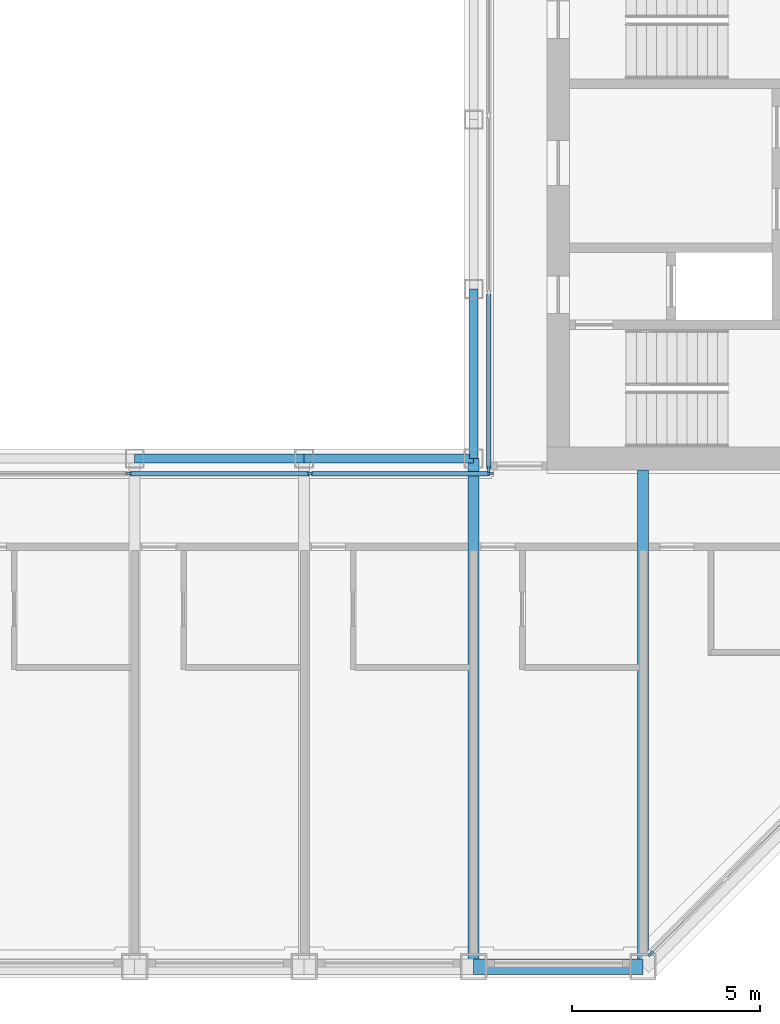
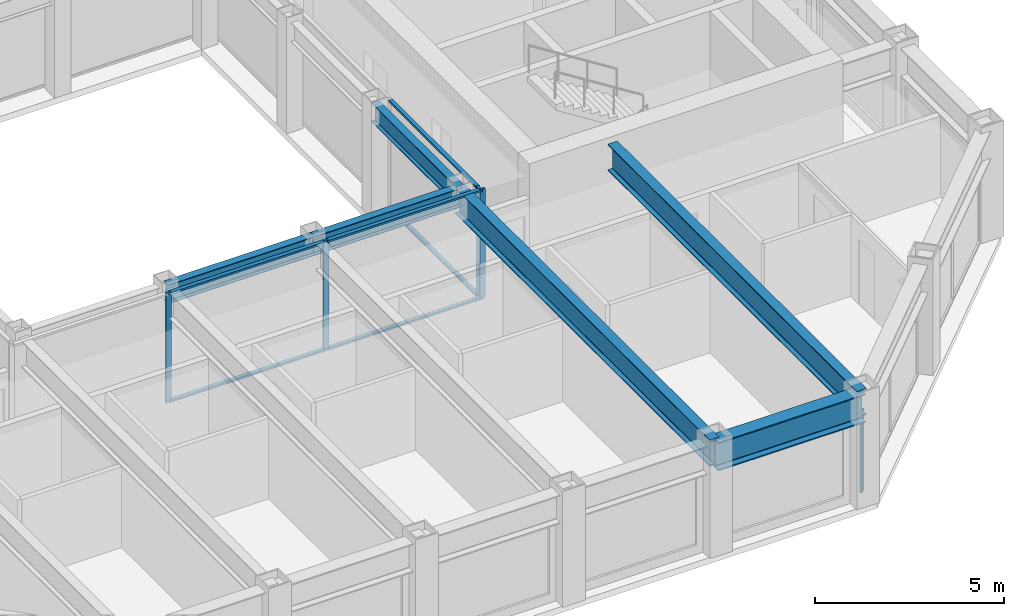
# One storey, part 3 of 18: 11 members, 6 beams, 3 elements without a shape of their own.
"""IFC4 building model written with IfcOpenShell, lengths in metres."""

from ifc_helpers import new_model, si_unit, direction, frame, origin, origin_2d, place, context, subcontext, project, spatial, rectangle, i_section, extrude, material, material_profile, profile_set, type_object, element, aggregate, save


model = new_model("IFC4")

# Units and contexts
model_context = context("Model", 3, precision=1e-05, world=origin(), true_north=direction((0.0, 1.0)))
body_context = subcontext(model_context, "Body", "Model", "MODEL_VIEW")
ifc_project = project(units=[si_unit("LENGTHUNIT", "METRE"), si_unit("AREAUNIT", "SQUARE_METRE"), si_unit("VOLUMEUNIT", "CUBIC_METRE"), si_unit("PLANEANGLEUNIT", "RADIAN"), si_unit("MASSUNIT", "GRAM", prefix="KILO")], contexts=[model_context])

# Site, building, storey
site_placement = place(None, origin())
site = spatial("IfcSite", under=ifc_project, at=site_placement, CompositionType="ELEMENT")
building_placement = place(site_placement, origin())
building = spatial("IfcBuilding", under=site, at=building_placement, Name="Msasa Ring Tower", CompositionType="ELEMENT")
storey_placement = place(building_placement, frame((0.0, 0.0, 204.550048828125)))
storey = spatial("IfcBuildingStorey", under=building, at=storey_placement, Name="L53", CompositionType="ELEMENT", Elevation=204.550048828125)

# Curtain wall, member
ifc_material_1 = material(Name="Aluminium curtain wall with clear glass", Category="aluminium")
curtain_wall_type_1 = type_object("IfcCurtainWallType", Name="CW-C CHAMFER CORNER CURTAIN WALL", PredefinedType="NOTDEFINED", material=ifc_material_1)
curtain_wall_1_placement = place(storey_placement, origin())
curtain_wall_1 = element("IfcCurtainWall", 1, at=curtain_wall_1_placement, inside=storey, type_object=curtain_wall_type_1, Name="Chamfer corner curtain wall SE L53", PredefinedType="NOTDEFINED")
ifc_material_2 = material(Name="Aluminium mullion", Category="aluminium")
ifc_material_profile_1 = material_profile(ifc_material_2, rectangle(XDim=0.06494140625, YDim=0.179931640625, at=origin_2d()), Name="AL 65x180")
ifc_profile_set_1 = profile_set([ifc_material_profile_1], Name="Aluminium mullion")
member_type_1 = type_object("IfcMemberType", Name="CW-C MULLION 65x180", PredefinedType="MULLION", material=ifc_profile_set_1)
member_1_placement = place(storey_placement, frame((11.453369140625, -19.9052734375, 0.0), z_axis=(0.0, 0.0, 1.0), x_axis=(-0.707106781187, 0.707106781187, 0.0)))
member_1 = element("IfcMember", 2, at=member_1_placement, type_object=member_type_1, Name="CW-C mullion 1", PredefinedType="MULLION", context=body_context, shape_type="SweptSolid", body=[
    extrude(rectangle(XDim=0.06494140625, YDim=0.179931640625, at=origin_2d()), origin(), (0.0, 0.0, 1.0), 2.62890625),
])
aggregate(curtain_wall_1, [member_1])

# Curtain wall, members
ifc_material_3 = material(Name="Aluminium curtain wall with clear glass", Category="aluminium")
curtain_wall_type_2 = type_object("IfcCurtainWallType", Name="CW-W LIGHT WELL CURTAIN WALL", PredefinedType="NOTDEFINED", material=ifc_material_3)
curtain_wall_2_placement = place(storey_placement, origin())
curtain_wall_2 = element("IfcCurtainWall", 3, at=curtain_wall_2_placement, inside=storey, type_object=curtain_wall_type_2, Name="Light well curtain wall S L53", PredefinedType="NOTDEFINED")
ifc_material_4 = material(Name="Aluminium mullion", Category="aluminium")
ifc_material_profile_2 = material_profile(ifc_material_4, rectangle(XDim=0.06005859375, YDim=0.159912109375, at=origin_2d()), Name="AL 60x160")
ifc_profile_set_2 = profile_set([ifc_material_profile_2], Name="Aluminium mullion")
member_type_2 = type_object("IfcMemberType", Name="CW-W MULLION 60x160", PredefinedType="MULLION", material=ifc_profile_set_2)
member_2_placement = place(storey_placement, frame((-2.409912109375, -7.14990234375, 0.0), z_axis=(0.0, 0.0, 1.0), x_axis=(0.0, 1.0, 0.0)))
member_2 = element("IfcMember", 4, at=member_2_placement, type_object=member_type_2, Name="CW-W mullion 2", PredefinedType="MULLION", context=body_context, shape_type="SweptSolid", body=[
    extrude(rectangle(XDim=0.06005859375, YDim=0.159912109375, at=origin_2d()), origin(), (0.0, 0.0, 1.0), 3.550048828125),
])
member_3_placement = place(storey_placement, frame((2.409912109375, -7.14990234375, 0.0), z_axis=(0.0, 0.0, 1.0), x_axis=(0.0, 1.0, 0.0)))
member_3 = element("IfcMember", 5, at=member_3_placement, type_object=member_type_2, Name="CW-W mullion 3", PredefinedType="MULLION", context=body_context, shape_type="SweptSolid", body=[
    extrude(rectangle(XDim=0.06005859375, YDim=0.159912109375, at=origin_2d()), origin(), (0.0, 0.0, 1.0), 3.550048828125),
])
member_4_placement = place(storey_placement, frame((7.199951171875, -7.14990234375, 0.0), z_axis=(0.0, 0.0, 1.0), x_axis=(0.0, 1.0, 0.0)))
member_4 = element("IfcMember", 6, at=member_4_placement, type_object=member_type_2, Name="CW-W mullion 4", PredefinedType="MULLION", context=body_context, shape_type="SweptSolid", body=[
    extrude(rectangle(XDim=0.06005859375, YDim=0.159912109375, at=origin_2d()), origin(), (0.0, 0.0, 1.0), 3.550048828125),
])

# Curtain wall, member
curtain_wall_3_placement = place(storey_placement, origin())
curtain_wall_3 = element("IfcCurtainWall", 7, at=curtain_wall_3_placement, inside=storey, type_object=curtain_wall_type_2, Name="Light well curtain wall E L53", PredefinedType="NOTDEFINED")
member_5_placement = place(storey_placement, frame((7.14990234375, -7.0400390625, 0.0), z_axis=(0.0, 0.0, 1.0), x_axis=(-1.0, 0.0, 0.0)))
member_5 = element("IfcMember", 8, at=member_5_placement, type_object=member_type_2, Name="CW-W mullion 1", PredefinedType="MULLION", context=body_context, shape_type="SweptSolid", body=[
    extrude(rectangle(XDim=0.06005859375, YDim=0.159912109375, at=origin_2d()), origin(), (0.0, 0.0, 1.0), 3.550048828125),
])

# Member
ifc_material_5 = material(Name="Aluminium transom", Category="aluminium")
ifc_material_profile_3 = material_profile(ifc_material_5, rectangle(XDim=0.1201171875, YDim=0.06005859375, at=origin_2d()), Name="AL 60x120")
ifc_profile_set_3 = profile_set([ifc_material_profile_3], Name="Aluminium transom")
member_type_3 = type_object("IfcMemberType", Name="CW-W TRANSOM 60x120", PredefinedType="USERDEFINED", material=ifc_profile_set_3)
member_6_placement = place(storey_placement, frame((-2.3798828125, -7.14990234375, 0.030029296875), z_axis=(1.0, 0.0, 0.0), x_axis=(0.0, 1.0, 0.0)))
member_6 = element("IfcMember", 9, at=member_6_placement, type_object=member_type_3, Name="CW-W transom 2.1", ObjectType="TRANSOM", PredefinedType="USERDEFINED", context=body_context, shape_type="SweptSolid", body=[
    extrude(rectangle(XDim=0.1201171875, YDim=0.06005859375, at=origin_2d()), origin(), (0.0, 0.0, 1.0), 4.759765625),
])

member_7_placement = place(storey_placement, frame((-2.3798828125, -7.14990234375, 3.52001953125), z_axis=(1.0, 0.0, 0.0), x_axis=(0.0, 1.0, 0.0)))
member_7 = element("IfcMember", 10, at=member_7_placement, type_object=member_type_3, Name="CW-W transom 2.2", ObjectType="TRANSOM", PredefinedType="USERDEFINED", context=body_context, shape_type="SweptSolid", body=[
    extrude(rectangle(XDim=0.1201171875, YDim=0.06005859375, at=origin_2d()), origin(), (0.0, 0.0, 1.0), 4.759765625),
])

member_8_placement = place(storey_placement, frame((2.43994140625, -7.14990234375, 0.030029296875), z_axis=(1.0, 0.0, 0.0), x_axis=(0.0, 1.0, 0.0)))
member_8 = element("IfcMember", 11, at=member_8_placement, type_object=member_type_3, Name="CW-W transom 3.1", ObjectType="TRANSOM", PredefinedType="USERDEFINED", context=body_context, shape_type="SweptSolid", body=[
    extrude(rectangle(XDim=0.1201171875, YDim=0.06005859375, at=origin_2d()), origin(), (0.0, 0.0, 1.0), 4.72998046875),
])

member_9_placement = place(storey_placement, frame((2.43994140625, -7.14990234375, 3.52001953125), z_axis=(1.0, 0.0, 0.0), x_axis=(0.0, 1.0, 0.0)))
member_9 = element("IfcMember", 12, at=member_9_placement, type_object=member_type_3, Name="CW-W transom 3.2", ObjectType="TRANSOM", PredefinedType="USERDEFINED", context=body_context, shape_type="SweptSolid", body=[
    extrude(rectangle(XDim=0.1201171875, YDim=0.06005859375, at=origin_2d()), origin(), (0.0, 0.0, 1.0), 4.72998046875),
])

aggregate(curtain_wall_2, [member_2, member_3, member_4, member_6, member_7, member_8, member_9])

member_10_placement = place(storey_placement, frame((7.14990234375, -7.010009765625, 0.030029296875), z_axis=(0.0, 1.0, 0.0), x_axis=(-1.0, 0.0, 0.0)))
member_10 = element("IfcMember", 13, at=member_10_placement, type_object=member_type_3, Name="CW-W transom 1.1", ObjectType="TRANSOM", PredefinedType="USERDEFINED", context=body_context, shape_type="SweptSolid", body=[
    extrude(rectangle(XDim=0.1201171875, YDim=0.06005859375, at=origin_2d()), origin(), (0.0, 0.0, 1.0), 4.623291015625),
])

member_11_placement = place(storey_placement, frame((7.14990234375, -7.010009765625, 3.52001953125), z_axis=(0.0, 1.0, 0.0), x_axis=(-1.0, 0.0, 0.0)))
member_11 = element("IfcMember", 14, at=member_11_placement, type_object=member_type_3, Name="CW-W transom 1.2", ObjectType="TRANSOM", PredefinedType="USERDEFINED", context=body_context, shape_type="SweptSolid", body=[
    extrude(rectangle(XDim=0.1201171875, YDim=0.06005859375, at=origin_2d()), origin(), (0.0, 0.0, 1.0), 4.623291015625),
])

aggregate(curtain_wall_3, [member_5, member_10, member_11])

# Beams
ifc_material_6 = material(Name="Steel S355", Category="steel")
ifc_material_profile_4 = material_profile(ifc_material_6, i_section(OverallWidth=0.293701171875, OverallDepth=0.850830078125, WebThickness=0.01611328125, FlangeThickness=0.02685546875, FilletRadius=0.017822265625, at=origin_2d()), Name="UB 838x292x226")
ifc_profile_set_4 = profile_set([ifc_material_profile_4], Name="Steel S355")
beam_type_1 = type_object("IfcBeamType", Name="FB5 UB 838x292x226", PredefinedType="BEAM", material=ifc_profile_set_4)
beam_1_placement = place(storey_placement, frame((6.75, -20.25, 3.12451171875), z_axis=(0.0, 1.0, 0.0), x_axis=(-1.0, 0.0, 0.0)))
element("IfcBeam", 15, at=beam_1_placement, inside=storey, type_object=beam_type_1, Name="Floor beam S+6.75 under L54", PredefinedType="BEAM", context=body_context, shape_type="SweptSolid", body=[
    extrude(i_section(OverallWidth=0.293701171875, OverallDepth=0.850830078125, WebThickness=0.01611328125, FlangeThickness=0.02685546875, FilletRadius=0.017822265625, at=origin_2d()), origin(), (0.0, 0.0, 1.0), 13.5),
])
beam_2_placement = place(storey_placement, frame((11.25, -20.25, 3.12451171875), z_axis=(0.0, 1.0, 0.0), x_axis=(-1.0, 0.0, 0.0)))
element("IfcBeam", 16, at=beam_2_placement, inside=storey, type_object=beam_type_1, Name="Floor beam S+11.25 under L54", PredefinedType="BEAM", context=body_context, shape_type="SweptSolid", body=[
    extrude(i_section(OverallWidth=0.293701171875, OverallDepth=0.850830078125, WebThickness=0.01611328125, FlangeThickness=0.02685546875, FilletRadius=0.017822265625, at=origin_2d()), origin(), (0.0, 0.0, 1.0), 13.199951171875),
])
ifc_material_7 = material(Name="Steel S355", Category="steel")
ifc_material_profile_5 = material_profile(ifc_material_7, i_section(OverallWidth=0.230224609375, OverallDepth=0.6171875, WebThickness=0.01318359375, FlangeThickness=0.022216796875, FilletRadius=0.0126953125, at=origin_2d()), Name="UB 610x229x140")
ifc_profile_set_5 = profile_set([ifc_material_profile_5], Name="Steel S355")
beam_type_2 = type_object("IfcBeamType", Name="RB1 UB 610x229x140", PredefinedType="BEAM", material=ifc_profile_set_5)
for number, where, z_axis, x_axis, name in (
    (17, (-2.25, -6.75, 3.241455078125), (1.0, 0.0, 0.0), (0.0, 1.0, 0.0), "Inner ring beam IR-2.25-6.75 under L54"),
    (18, (2.25, -6.75, 3.241455078125), (1.0, 0.0, 0.0), (0.0, 1.0, 0.0), "Inner ring beam IR+2.25-6.75 under L54"),
    (19, (6.75, -6.75, 3.241455078125), (0.0, 1.0, 0.0), (-1.0, 0.0, 0.0), "Inner ring beam IR+6.75-6.75 under L54"),
):
    element("IfcBeam", number, at=place(storey_placement, frame(where, z_axis=z_axis, x_axis=x_axis)), inside=storey, type_object=beam_type_2, Name=name, PredefinedType="BEAM", context=body_context, shape_type="SweptSolid", body=[
        extrude(i_section(OverallWidth=0.230224609375, OverallDepth=0.6171875, WebThickness=0.01318359375, FlangeThickness=0.022216796875, FilletRadius=0.0126953125, at=origin_2d()), origin(), (0.0, 0.0, 1.0), 4.5),
    ])
ifc_material_8 = material(Name="Steel S355", Category="steel")
ifc_material_profile_6 = material_profile(ifc_material_8, i_section(OverallWidth=0.42041015625, OverallDepth=0.9208984375, WebThickness=0.021484375, FlangeThickness=0.03662109375, FilletRadius=0.024169921875, at=origin_2d()), Name="UB 914x419x388")
ifc_profile_set_6 = profile_set([ifc_material_profile_6], Name="Steel S355")
beam_type_3 = type_object("IfcBeamType", Name="SB1 UB 914x419x388", PredefinedType="SPANDREL", material=ifc_profile_set_6)
beam_3_placement = place(storey_placement, frame((6.75, -20.25, 3.08935546875), z_axis=(1.0, 0.0, 0.0), x_axis=(0.0, 1.0, 0.0)))
element("IfcBeam", 20, at=beam_3_placement, inside=storey, type_object=beam_type_3, Name="Spandrel S+6.75 to S+11.25 under L54", PredefinedType="SPANDREL", context=body_context, shape_type="SweptSolid", body=[
    extrude(i_section(OverallWidth=0.42041015625, OverallDepth=0.9208984375, WebThickness=0.021484375, FlangeThickness=0.03662109375, FilletRadius=0.024169921875, at=origin_2d()), origin(), (0.0, 0.0, 1.0), 4.5),
])

save(model, "model.ifc")
